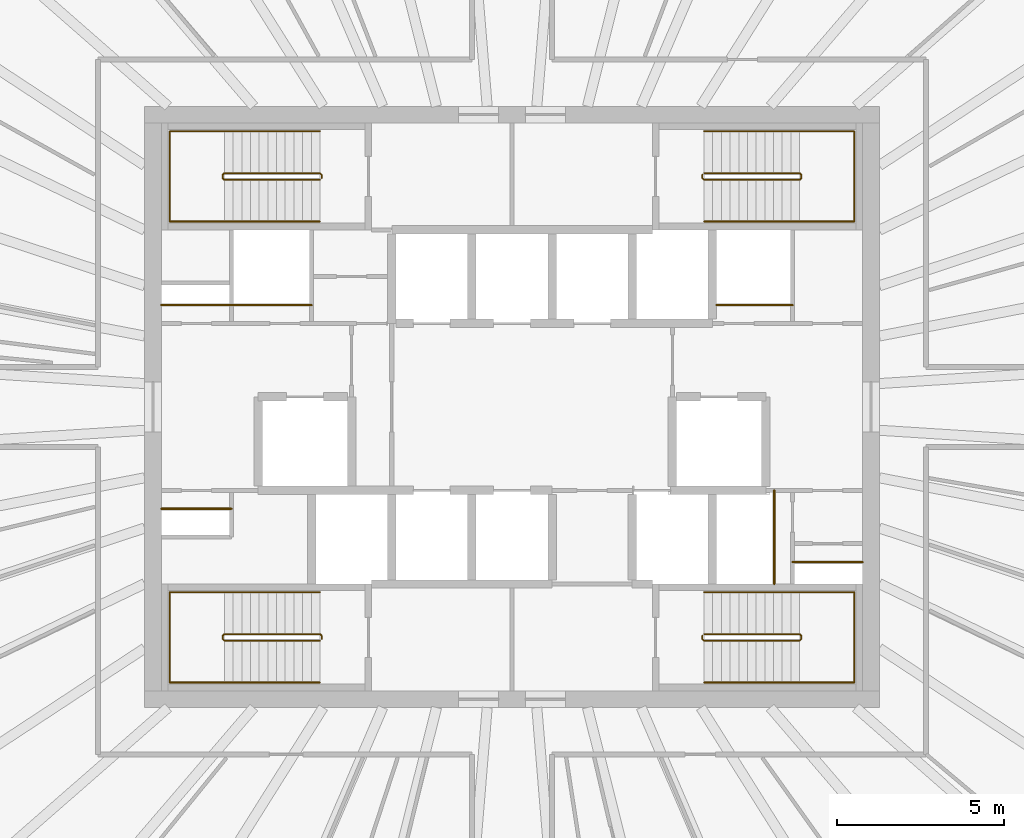
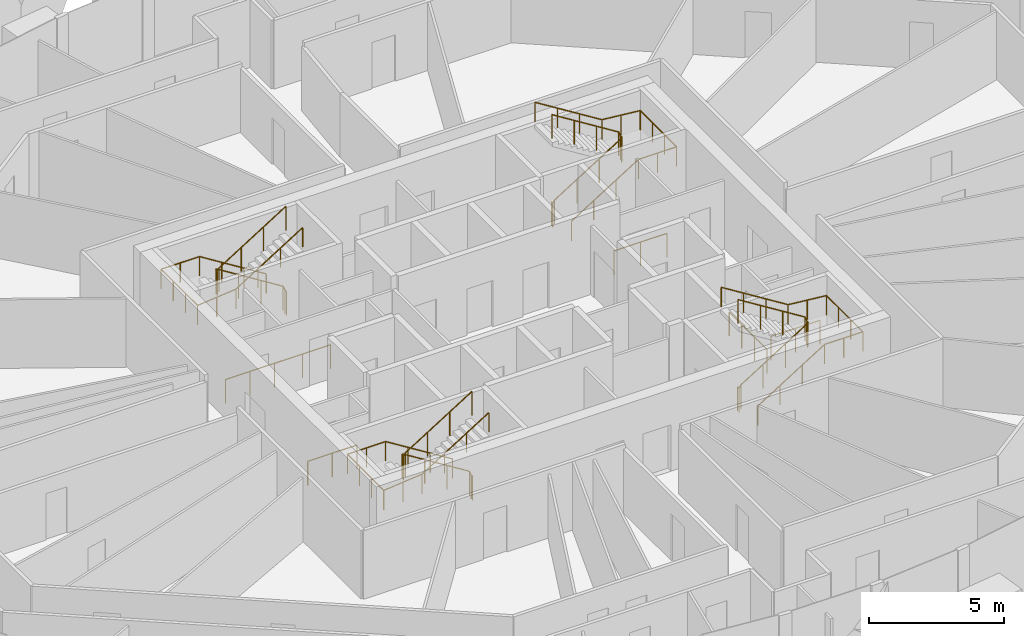
# One storey, part 15 of 15: 14 railings.
"""IFC4 building model written with IfcOpenShell, lengths in metres."""

import ifcopenshell
import ifcopenshell.guid

model = None  # the IFC model being written
_history = None  # IfcOwnerHistory: only IFC2X3 demands one
_inside = {}  # id of a spatial element -> (the spatial element, [elements in it])
_under = {}  # id of a project, library or spatial element -> (it, [spatial elements below it])
_declared = {}  # id of a project -> (the project, [libraries it declares])
_typed = {}  # id of a type object -> (the type object, [elements of that type])
_made_of = {}  # id of a material, layer set ... -> (it, [elements and type objects made of it])


def new_model(schema):
    """Start an empty IFC model of exactly this schema.

    Asked for "IFC4X3", IfcOpenShell would pick the latest addendum, in which some entities
    have other attributes; the version numbers below select the first issue.
    IFC2X3 requires an IfcOwnerHistory on every rooted entity: one is made here for all.
    """
    global model, _history
    if schema == "IFC4X3":
        model = ifcopenshell.file(schema_version=(4, 3, 0, 0))
    else:
        model = ifcopenshell.file(schema=schema)
    _inside.clear()
    _under.clear()
    _declared.clear()
    _typed.clear()
    _made_of.clear()
    _history = None
    if model.schema == "IFC2X3":
        org = make("IfcOrganization", Name="unknown")
        user = make(
            "IfcPersonAndOrganization",
            ThePerson=make("IfcPerson", FamilyName="unknown"),
            TheOrganization=org,
        )
        app = make(
            "IfcApplication",
            ApplicationDeveloper=org,
            Version="unknown",
            ApplicationFullName="unknown",
            ApplicationIdentifier="unknown",
        )
        _history = make(
            "IfcOwnerHistory",
            OwningUser=user,
            OwningApplication=app,
            ChangeAction="ADDED",
            CreationDate=0,
        )
    return model


def make(cls, **values):
    """One entity of the class cls with the attributes given. An attribute that is None is left unset."""
    return model.create_entity(
        cls, **{name: value for name, value in values.items() if value is not None}
    )


def rooted(cls, **values):
    """An entity with a GlobalId (a new one), such as an element, a storey or a relation."""
    return make(cls, GlobalId=ifcopenshell.guid.new(), OwnerHistory=_history, **values)


def si_unit(unit_type, name, prefix=None):
    """IfcSIUnit, for example si_unit("LENGTHUNIT", "METRE", prefix="MILLI")."""
    return make("IfcSIUnit", UnitType=unit_type, Prefix=prefix, Name=name)


def assignment(units):
    """IfcUnitAssignment: the units of a project."""
    return None if units is None else make("IfcUnitAssignment", Units=units)


def point(xyz):
    """IfcCartesianPoint."""
    return None if xyz is None else make("IfcCartesianPoint", Coordinates=xyz)


def direction(xyz):
    """IfcDirection."""
    return None if xyz is None else make("IfcDirection", DirectionRatios=xyz)


def frame(location, z_axis=None, x_axis=None):
    """IfcAxis2Placement3D, a coordinate frame: its origin and axes. An axis left out is left unset."""
    return make(
        "IfcAxis2Placement3D",
        Location=point(location),
        Axis=direction(z_axis),
        RefDirection=direction(x_axis),
    )


def frame_2d(location, x_axis=None):
    """IfcAxis2Placement2D, a coordinate frame in the plane: its origin and x axis."""
    return make(
        "IfcAxis2Placement2D", Location=point(location), RefDirection=direction(x_axis)
    )


def origin():
    """The frame at (0, 0, 0) with its axes left unset."""
    return frame((0.0, 0.0, 0.0))


def origin_2d():
    """The frame at (0, 0) in the plane with its x axis left unset."""
    return frame_2d((0.0, 0.0))


def place(relative_to, where):
    """IfcLocalPlacement: puts the frame where relative to a parent placement (None: the world)."""
    return make(
        "IfcLocalPlacement", PlacementRelTo=relative_to, RelativePlacement=where
    )


def context(
    kind, dimensions, precision=None, world=None, true_north=None, identifier=None
):
    """IfcGeometricRepresentationContext, for example the 3D "Model" context."""
    return make(
        "IfcGeometricRepresentationContext",
        ContextIdentifier=identifier,
        ContextType=kind,
        CoordinateSpaceDimension=dimensions,
        Precision=precision,
        WorldCoordinateSystem=world,
        TrueNorth=true_north,
    )


def subcontext(parent, identifier, kind, view, scale=None):
    """IfcGeometricRepresentationSubContext, for example "Body" below "Model"."""
    return make(
        "IfcGeometricRepresentationSubContext",
        ContextIdentifier=identifier,
        ContextType=kind,
        ParentContext=parent,
        TargetScale=scale,
        TargetView=view,
    )


def project(units=None, contexts=None):
    """IfcProject with its units and contexts."""
    return rooted(
        "IfcProject",
        Name="project",
        RepresentationContexts=contexts,
        UnitsInContext=assignment(units),
    )


def spatial(cls, under=None, at=None, **own):
    """A site, building, storey or space (cls), placed at a placement, below another one or the project."""
    s = rooted(cls, ObjectPlacement=at, **own)
    if under is not None:
        _under.setdefault(under.id(), (under, []))[1].append(s)
    return s


def profile(cls, at=None, kind="AREA", **sizes):
    """A parametric profile (cls). Its sizes go by their IFC names, for example OverallWidth=200.0."""
    return make(cls, ProfileType=kind, Position=at, **sizes)


def circle(**sizes):
    """IfcCircleProfileDef."""
    return profile("IfcCircleProfileDef", **sizes)


def extrude(swept, where, along, depth):
    """IfcExtrudedAreaSolid: the profile swept, set in the frame where, extruded along a direction by depth."""
    return make(
        "IfcExtrudedAreaSolid",
        SweptArea=swept,
        Position=where,
        ExtrudedDirection=direction(along),
        Depth=depth,
    )


def shape(context_of_items, identifier, shape_type, items):
    """IfcShapeRepresentation: the items that make up one representation, for example the "Body"."""
    return make(
        "IfcShapeRepresentation",
        ContextOfItems=context_of_items,
        RepresentationIdentifier=identifier,
        RepresentationType=shape_type,
        Items=items,
    )


def source(mapping_origin, context_of_items, identifier, shape_type, items):
    """IfcRepresentationMap: a shape defined once, which mapped items show again and again."""
    return make(
        "IfcRepresentationMap",
        MappingOrigin=mapping_origin,
        MappedRepresentation=shape(context_of_items, identifier, shape_type, items),
    )


def transform(
    local_origin,
    x_axis=None,
    y_axis=None,
    z_axis=None,
    scale=None,
    scale2=None,
    scale3=None,
    uniform=True,
):
    """IfcCartesianTransformationOperator3D, or its non-uniform kind. x_axis, y_axis, z_axis: its Axis1, 2, 3."""
    if uniform:
        return make(
            "IfcCartesianTransformationOperator3D",
            Axis1=direction(x_axis),
            Axis2=direction(y_axis),
            LocalOrigin=point(local_origin),
            Scale=scale,
            Axis3=direction(z_axis),
        )
    return make(
        "IfcCartesianTransformationOperator3DnonUniform",
        Axis1=direction(x_axis),
        Axis2=direction(y_axis),
        LocalOrigin=point(local_origin),
        Scale=scale,
        Axis3=direction(z_axis),
        Scale2=scale2,
        Scale3=scale3,
    )


def mapped(mapping_source, mapping_target):
    """IfcMappedItem: shows the shape of a source again, moved by a transform."""
    return make(
        "IfcMappedItem", MappingSource=mapping_source, MappingTarget=mapping_target
    )


def material(Name=None, Category=None):
    """IfcMaterial."""
    return make("IfcMaterial", Name=Name, Category=Category)


def made_of(thing, what):
    """Note that an element or type object is made of a material, layer set ...; save() writes the relation."""
    if what is not None:
        _made_of.setdefault(what.id(), (what, []))[1].append(thing)
    return thing


def type_object(cls, material=None, **own):
    """A type object (cls), such as IfcWallType, which elements share."""
    return made_of(rooted(cls, **own), material)


def element(
    cls,
    number,
    at=None,
    inside=None,
    cuts=None,
    type_object=None,
    material=None,
    context=None,
    identifier="Body",
    shape_type=None,
    held_by="IfcProductDefinitionShape",
    body=None,
    shapes=None,
    **own,
):
    """One element of the class cls, such as IfcWall. Its Tag is "e" and its number.

    at: its placement. inside: the storey or other place that contains it. cuts: it is an
    opening in that element (IfcRelVoidsElement). A single representation is given by context,
    identifier, shape_type and body (its items); several are given by shapes. held_by: the class
    of the entity that holds the representations. save() writes the other relations.
    """
    e = rooted(cls, Tag="e%d" % number, ObjectPlacement=at, **own)
    if body is not None:
        shapes = [shape(context, identifier, shape_type, body)]
    if shapes is not None:
        e.Representation = make(held_by, Representations=shapes)
    if inside is not None:
        _inside.setdefault(inside.id(), (inside, []))[1].append(e)
    if cuts is not None:
        rooted(
            "IfcRelVoidsElement", RelatingBuildingElement=cuts, RelatedOpeningElement=e
        )
    if type_object is not None:
        _typed.setdefault(type_object.id(), (type_object, []))[1].append(e)
    return made_of(e, material)


def aggregate(whole, parts):
    """IfcRelAggregates: a whole, such as a stair, and the parts it consists of."""
    return rooted("IfcRelAggregates", RelatingObject=whole, RelatedObjects=parts)


def save(model, path):
    """Write the relations noted so far, then the file.

    IfcRelAggregates (storeys below a building ...), IfcRelContainedInSpatialStructure (elements
    in a storey), IfcRelDefinesByType, IfcRelAssociatesMaterial and IfcRelDeclares: one each for
    every whole, place, type object, material and project.
    """
    for whole, parts in _under.values():
        aggregate(whole, parts)
    for where, things in _inside.values():
        rooted(
            "IfcRelContainedInSpatialStructure",
            RelatedElements=things,
            RelatingStructure=where,
        )
    for kind, things in _typed.values():
        rooted("IfcRelDefinesByType", RelatedObjects=things, RelatingType=kind)
    for what, things in _made_of.values():
        rooted("IfcRelAssociatesMaterial", RelatedObjects=things, RelatingMaterial=what)
    for by, libraries in _declared.values():
        rooted("IfcRelDeclares", RelatingContext=by, RelatedDefinitions=libraries)
    model.write(path)


model = new_model("IFC4")

# Units and contexts
model_context = context("Model", 3, precision=1e-05, world=origin(), true_north=direction((0.0, 1.0)))
body_context = subcontext(model_context, "Body", "Model", "MODEL_VIEW")
ifc_project = project(units=[si_unit("LENGTHUNIT", "METRE"), si_unit("AREAUNIT", "SQUARE_METRE"), si_unit("VOLUMEUNIT", "CUBIC_METRE"), si_unit("PLANEANGLEUNIT", "RADIAN"), si_unit("MASSUNIT", "GRAM", prefix="KILO")], contexts=[model_context])

# Site, building, storey
site_placement = place(None, origin())
site = spatial("IfcSite", under=ifc_project, at=site_placement, CompositionType="ELEMENT")
building_placement = place(site_placement, origin())
building = spatial("IfcBuilding", under=site, at=building_placement, Name="Embergate Tower", CompositionType="ELEMENT")
storey_placement = place(building_placement, frame((0.0, 0.0, 277.300048828125)))
storey = spatial("IfcBuildingStorey", under=building, at=storey_placement, Name="L64", CompositionType="ELEMENT", Elevation=277.300048828125)

# Railings
ifc_material_1 = material(Name="Stair guard 1100")
railing_type_1 = type_object("IfcRailingType", Name="Stair guard 1100", PredefinedType="GUARDRAIL", material=ifc_material_1)
shared_shape_1 = source(origin(), body_context, "Body", "SweptSolid", [
    extrude(circle(Radius=0.02392578125, at=origin_2d()), frame((0.0, 0.0, 1.076171875), z_axis=(0.0, 1.0, 0.0), x_axis=(-1.0, 0.0, 0.0)), (0.0, 0.0, 1.0), 0.099853515625),
    extrude(circle(Radius=0.02392578125, at=origin_2d()), frame((0.0, 0.099853515625, 1.076171875), z_axis=(-0.282583949758, 0.282583949758, 0.916674763849), x_axis=(-0.707106781187, -0.707106781187, 0.0)), (0.0, 0.0, 1.0), 0.177001953125),
    extrude(circle(Radius=0.02392578125, at=origin_2d()), frame((-0.050048828125, 0.14990234375, 1.23828125), z_axis=(-0.847994237388, 0.0, 0.530005446535), x_axis=(0.0, -1.0, 0.0)), (0.0, 0.0, 1.0), 3.372802734375),
    extrude(circle(Radius=0.02392578125, at=origin_2d()), frame((-2.91015625, 0.14990234375, 3.02587890625), z_axis=(-0.705375805398, -0.708833529934, 0.0), x_axis=(0.708833529934, -0.705375805398, 0.0)), (0.0, 0.0, 1.0), 0.070556640625),
    extrude(circle(Radius=0.02392578125, at=origin_2d()), frame((-2.9599609375, 0.099853515625, 3.02587890625), z_axis=(0.0, -1.0, 0.0), x_axis=(1.0, 0.0, 0.0)), (0.0, 0.0, 1.0), 0.099853515625),
    extrude(circle(Radius=0.02392578125, at=origin_2d()), frame((-2.9599609375, 0.0, 3.02587890625), z_axis=(0.280959487676, -0.282336740067, 0.917250092119), x_axis=(0.708833529934, 0.705375805398, 0.0)), (0.0, 0.0, 1.0), 0.17724609375),
    extrude(circle(Radius=0.02392578125, at=origin_2d()), frame((-2.91015625, -0.050048828125, 3.1884765625), z_axis=(0.848026770018, 0.0, 0.529953391661), x_axis=(0.0, 1.0, 0.0)), (0.0, 0.0, 1.0), 3.37255859375),
    extrude(circle(Radius=0.02099609375, at=origin_2d()), origin(), (0.0, 0.0, 1.0), 1.052001953125),
    extrude(circle(Radius=0.02099609375, at=origin_2d()), frame((0.0, 0.099853515625, 0.0)), (0.0, 0.0, 1.0), 1.052001953125),
    extrude(circle(Radius=0.02099609375, at=origin_2d()), frame((-0.050048828125, 0.14990234375, 0.162353515625)), (0.0, 0.0, 1.0), 1.052001953125),
    extrude(circle(Radius=0.02099609375, at=origin_2d()), frame((-1.00341796875, 0.14990234375, 0.75830078125)), (0.0, 0.0, 1.0), 1.052001953125),
    extrude(circle(Radius=0.02099609375, at=origin_2d()), frame((-1.956787109375, 0.14990234375, 1.35400390625)), (0.0, 0.0, 1.0), 1.052001953125),
    extrude(circle(Radius=0.02099609375, at=origin_2d()), frame((-2.91015625, 0.14990234375, 1.949951171875)), (0.0, 0.0, 1.0), 1.052001953125),
    extrude(circle(Radius=0.02099609375, at=origin_2d()), frame((-2.9599609375, 0.099853515625, 1.949951171875)), (0.0, 0.0, 1.0), 1.052001953125),
    extrude(circle(Radius=0.02099609375, at=origin_2d()), frame((-2.9599609375, 0.0, 1.949951171875)), (0.0, 0.0, 1.0), 1.052001953125),
    extrude(circle(Radius=0.02099609375, at=origin_2d()), frame((-2.91015625, -0.050048828125, 2.112548828125)), (0.0, 0.0, 1.0), 1.052001953125),
    extrude(circle(Radius=0.02099609375, at=origin_2d()), frame((-1.956787109375, -0.050048828125, 2.708251953125)), (0.0, 0.0, 1.0), 1.052001953125),
    extrude(circle(Radius=0.02099609375, at=origin_2d()), frame((-1.00341796875, -0.050048828125, 3.30419921875)), (0.0, 0.0, 1.0), 1.052001953125),
    extrude(circle(Radius=0.02099609375, at=origin_2d()), frame((-0.050048828125, -0.050048828125, 3.89990234375)), (0.0, 0.0, 1.0), 1.052001953125),
])
for number, where, name in (
    (1, (-5.699951171875, 6.85009765625, 0.0), "L64 ST1 stair guard 1"),
    (2, (-5.699951171875, -6.949951171875, 0.0), "L64 ST3 stair guard 1"),
):
    element("IfcRailing", number, at=place(storey_placement, frame(where)), inside=storey, type_object=railing_type_1, Name=name, PredefinedType="GUARDRAIL", context=body_context, shape_type="MappedRepresentation", body=[
        mapped(shared_shape_1, transform((0.0, 0.0, 0.0))),
    ])
ifc_material_2 = material(Name="Stair handrail 900")
railing_type_2 = type_object("IfcRailingType", Name="Stair handrail 900", PredefinedType="HANDRAIL", material=ifc_material_2)
shared_shape_2 = source(origin(), body_context, "Body", "SweptSolid", [
    extrude(circle(Radius=0.02392578125, at=origin_2d()), frame((0.0, 0.0, 0.8759765625), z_axis=(-0.847994237388, 0.0, 0.530005446535), x_axis=(0.0, -1.0, 0.0)), (0.0, 0.0, 1.0), 3.372802734375),
    extrude(circle(Radius=0.02392578125, at=origin_2d()), frame((-2.860107421875, 0.0, 2.66357421875), z_axis=(-1.0, 0.0, 0.0), x_axis=(0.0, -1.0, 0.0)), (0.0, 0.0, 1.0), 1.639892578125),
    extrude(circle(Radius=0.02392578125, at=origin_2d()), frame((-4.5, 0.0, 2.66357421875), z_axis=(0.0, -1.0, 0.0), x_axis=(1.0, 0.0, 0.0)), (0.0, 0.0, 1.0), 2.699951171875),
    extrude(circle(Radius=0.02392578125, at=origin_2d()), frame((-4.5, -2.699951171875, 2.66357421875), z_axis=(0.995120448088, 0.0, 0.098667592441), x_axis=(0.0, 1.0, 0.0)), (0.0, 0.0, 1.0), 1.64794921875),
    extrude(circle(Radius=0.02392578125, at=origin_2d()), frame((-2.860107421875, -2.699951171875, 2.826171875), z_axis=(0.848026770018, 0.0, 0.529953391661), x_axis=(0.0, 1.0, 0.0)), (0.0, 0.0, 1.0), 3.37255859375),
    extrude(circle(Radius=0.02099609375, at=origin_2d()), origin(), (0.0, 0.0, 1.0), 0.851806640625),
    extrude(circle(Radius=0.02099609375, at=origin_2d()), frame((-0.953369140625, 0.0, 0.595947265625)), (0.0, 0.0, 1.0), 0.851806640625),
    extrude(circle(Radius=0.02099609375, at=origin_2d()), frame((-1.90673828125, 0.0, 1.191650390625)), (0.0, 0.0, 1.0), 0.851806640625),
    extrude(circle(Radius=0.02099609375, at=origin_2d()), frame((-2.860107421875, 0.0, 1.78759765625)), (0.0, 0.0, 1.0), 0.851806640625),
    extrude(circle(Radius=0.02099609375, at=origin_2d()), frame((-3.68017578125, 0.0, 1.78759765625)), (0.0, 0.0, 1.0), 0.851806640625),
    extrude(circle(Radius=0.02099609375, at=origin_2d()), frame((-4.5, 0.0, 1.78759765625)), (0.0, 0.0, 1.0), 0.851806640625),
    extrude(circle(Radius=0.02099609375, at=origin_2d()), frame((-4.5, -0.89990234375, 1.78759765625)), (0.0, 0.0, 1.0), 0.851806640625),
    extrude(circle(Radius=0.02099609375, at=origin_2d()), frame((-4.5, -1.800048828125, 1.78759765625)), (0.0, 0.0, 1.0), 0.851806640625),
    extrude(circle(Radius=0.02099609375, at=origin_2d()), frame((-4.5, -2.699951171875, 1.78759765625)), (0.0, 0.0, 1.0), 0.851806640625),
    extrude(circle(Radius=0.02099609375, at=origin_2d()), frame((-3.68017578125, -2.699951171875, 1.868896484375)), (0.0, 0.0, 1.0), 0.851806640625),
    extrude(circle(Radius=0.02099609375, at=origin_2d()), frame((-2.860107421875, -2.699951171875, 1.9501953125)), (0.0, 0.0, 1.0), 0.851806640625),
    extrude(circle(Radius=0.02099609375, at=origin_2d()), frame((-1.90673828125, -2.699951171875, 2.5458984375)), (0.0, 0.0, 1.0), 0.851806640625),
    extrude(circle(Radius=0.02099609375, at=origin_2d()), frame((-0.953369140625, -2.699951171875, 3.141845703125)), (0.0, 0.0, 1.0), 0.851806640625),
    extrude(circle(Radius=0.02099609375, at=origin_2d()), frame((0.0, -2.699951171875, 3.737548828125)), (0.0, 0.0, 1.0), 0.851806640625),
])
for number, where, name in (
    (3, (-5.75, 8.25, 0.162353515625), "L64 ST1 stair handrail 1"),
    (4, (-5.75, -5.550048828125, 0.162353515625), "L64 ST3 stair handrail 1"),
):
    element("IfcRailing", number, at=place(storey_placement, frame(where)), inside=storey, type_object=railing_type_2, Name=name, PredefinedType="HANDRAIL", context=body_context, shape_type="MappedRepresentation", body=[
        mapped(shared_shape_2, transform((0.0, 0.0, 0.0))),
    ])
shared_shape_3 = source(origin(), body_context, "Body", "SweptSolid", [
    extrude(circle(Radius=0.02392578125, at=origin_2d()), frame((0.0, 0.0, 1.076171875), z_axis=(0.0, -1.0, 0.0), x_axis=(1.0, 0.0, 0.0)), (0.0, 0.0, 1.0), 0.099853515625),
    extrude(circle(Radius=0.02392578125, at=origin_2d()), frame((0.0, -0.099853515625, 1.076171875), z_axis=(0.282583949758, -0.282583949758, 0.916674763849), x_axis=(0.707106781187, 0.707106781187, 0.0)), (0.0, 0.0, 1.0), 0.177001953125),
    extrude(circle(Radius=0.02392578125, at=origin_2d()), frame((0.050048828125, -0.14990234375, 1.23828125), z_axis=(0.847994237388, 0.0, 0.530005446535), x_axis=(0.0, 1.0, 0.0)), (0.0, 0.0, 1.0), 3.372802734375),
    extrude(circle(Radius=0.02392578125, at=origin_2d()), frame((2.91015625, -0.14990234375, 3.02587890625), z_axis=(0.705375805398, 0.708833529934, 0.0), x_axis=(-0.708833529934, 0.705375805398, 0.0)), (0.0, 0.0, 1.0), 0.070556640625),
    extrude(circle(Radius=0.02392578125, at=origin_2d()), frame((2.9599609375, -0.099853515625, 3.02587890625), z_axis=(0.0, 1.0, 0.0), x_axis=(-1.0, 0.0, 0.0)), (0.0, 0.0, 1.0), 0.099853515625),
    extrude(circle(Radius=0.02392578125, at=origin_2d()), frame((2.9599609375, 0.0, 3.02587890625), z_axis=(-0.280959487676, 0.282336740067, 0.917250092119), x_axis=(-0.708833529934, -0.705375805398, 0.0)), (0.0, 0.0, 1.0), 0.17724609375),
    extrude(circle(Radius=0.02392578125, at=origin_2d()), frame((2.91015625, 0.050048828125, 3.1884765625), z_axis=(-0.848026770018, 0.0, 0.529953391661), x_axis=(0.0, -1.0, 0.0)), (0.0, 0.0, 1.0), 3.37255859375),
    extrude(circle(Radius=0.02099609375, at=origin_2d()), origin(), (0.0, 0.0, 1.0), 1.052001953125),
    extrude(circle(Radius=0.02099609375, at=origin_2d()), frame((0.0, -0.099853515625, 0.0)), (0.0, 0.0, 1.0), 1.052001953125),
    extrude(circle(Radius=0.02099609375, at=origin_2d()), frame((0.050048828125, -0.14990234375, 0.162353515625)), (0.0, 0.0, 1.0), 1.052001953125),
    extrude(circle(Radius=0.02099609375, at=origin_2d()), frame((1.00341796875, -0.14990234375, 0.75830078125)), (0.0, 0.0, 1.0), 1.052001953125),
    extrude(circle(Radius=0.02099609375, at=origin_2d()), frame((1.956787109375, -0.14990234375, 1.35400390625)), (0.0, 0.0, 1.0), 1.052001953125),
    extrude(circle(Radius=0.02099609375, at=origin_2d()), frame((2.91015625, -0.14990234375, 1.949951171875)), (0.0, 0.0, 1.0), 1.052001953125),
    extrude(circle(Radius=0.02099609375, at=origin_2d()), frame((2.9599609375, -0.099853515625, 1.949951171875)), (0.0, 0.0, 1.0), 1.052001953125),
    extrude(circle(Radius=0.02099609375, at=origin_2d()), frame((2.9599609375, 0.0, 1.949951171875)), (0.0, 0.0, 1.0), 1.052001953125),
    extrude(circle(Radius=0.02099609375, at=origin_2d()), frame((2.91015625, 0.050048828125, 2.112548828125)), (0.0, 0.0, 1.0), 1.052001953125),
    extrude(circle(Radius=0.02099609375, at=origin_2d()), frame((1.956787109375, 0.050048828125, 2.708251953125)), (0.0, 0.0, 1.0), 1.052001953125),
    extrude(circle(Radius=0.02099609375, at=origin_2d()), frame((1.00341796875, 0.050048828125, 3.30419921875)), (0.0, 0.0, 1.0), 1.052001953125),
    extrude(circle(Radius=0.02099609375, at=origin_2d()), frame((0.050048828125, 0.050048828125, 3.89990234375)), (0.0, 0.0, 1.0), 1.052001953125),
])
for number, where, name in (
    (5, (5.699951171875, 6.949951171875, 0.0), "L64 ST2 stair guard 1"),
    (6, (5.699951171875, -6.85009765625, 0.0), "L64 ST4 stair guard 1"),
):
    element("IfcRailing", number, at=place(storey_placement, frame(where)), inside=storey, type_object=railing_type_1, Name=name, PredefinedType="GUARDRAIL", context=body_context, shape_type="MappedRepresentation", body=[
        mapped(shared_shape_3, transform((0.0, 0.0, 0.0))),
    ])
shared_shape_4 = source(origin(), body_context, "Body", "SweptSolid", [
    extrude(circle(Radius=0.02392578125, at=origin_2d()), frame((0.0, 0.0, 0.8759765625), z_axis=(0.847994237388, 0.0, 0.530005446535), x_axis=(0.0, 1.0, 0.0)), (0.0, 0.0, 1.0), 3.372802734375),
    extrude(circle(Radius=0.02392578125, at=origin_2d()), frame((2.860107421875, 0.0, 2.66357421875), z_axis=(1.0, 0.0, 0.0), x_axis=(0.0, 1.0, 0.0)), (0.0, 0.0, 1.0), 1.639892578125),
    extrude(circle(Radius=0.02392578125, at=origin_2d()), frame((4.5, 0.0, 2.66357421875), z_axis=(0.0, 1.0, 0.0), x_axis=(-1.0, 0.0, 0.0)), (0.0, 0.0, 1.0), 2.699951171875),
    extrude(circle(Radius=0.02392578125, at=origin_2d()), frame((4.5, 2.699951171875, 2.66357421875), z_axis=(-0.995120448088, 0.0, 0.098667592441), x_axis=(0.0, -1.0, 0.0)), (0.0, 0.0, 1.0), 1.64794921875),
    extrude(circle(Radius=0.02392578125, at=origin_2d()), frame((2.860107421875, 2.699951171875, 2.826171875), z_axis=(-0.848026770018, 0.0, 0.529953391661), x_axis=(0.0, -1.0, 0.0)), (0.0, 0.0, 1.0), 3.37255859375),
    extrude(circle(Radius=0.02099609375, at=origin_2d()), origin(), (0.0, 0.0, 1.0), 0.851806640625),
    extrude(circle(Radius=0.02099609375, at=origin_2d()), frame((0.953369140625, 0.0, 0.595947265625)), (0.0, 0.0, 1.0), 0.851806640625),
    extrude(circle(Radius=0.02099609375, at=origin_2d()), frame((1.90673828125, 0.0, 1.191650390625)), (0.0, 0.0, 1.0), 0.851806640625),
    extrude(circle(Radius=0.02099609375, at=origin_2d()), frame((2.860107421875, 0.0, 1.78759765625)), (0.0, 0.0, 1.0), 0.851806640625),
    extrude(circle(Radius=0.02099609375, at=origin_2d()), frame((3.68017578125, 0.0, 1.78759765625)), (0.0, 0.0, 1.0), 0.851806640625),
    extrude(circle(Radius=0.02099609375, at=origin_2d()), frame((4.5, 0.0, 1.78759765625)), (0.0, 0.0, 1.0), 0.851806640625),
    extrude(circle(Radius=0.02099609375, at=origin_2d()), frame((4.5, 0.89990234375, 1.78759765625)), (0.0, 0.0, 1.0), 0.851806640625),
    extrude(circle(Radius=0.02099609375, at=origin_2d()), frame((4.5, 1.800048828125, 1.78759765625)), (0.0, 0.0, 1.0), 0.851806640625),
    extrude(circle(Radius=0.02099609375, at=origin_2d()), frame((4.5, 2.699951171875, 1.78759765625)), (0.0, 0.0, 1.0), 0.851806640625),
    extrude(circle(Radius=0.02099609375, at=origin_2d()), frame((3.68017578125, 2.699951171875, 1.868896484375)), (0.0, 0.0, 1.0), 0.851806640625),
    extrude(circle(Radius=0.02099609375, at=origin_2d()), frame((2.860107421875, 2.699951171875, 1.9501953125)), (0.0, 0.0, 1.0), 0.851806640625),
    extrude(circle(Radius=0.02099609375, at=origin_2d()), frame((1.90673828125, 2.699951171875, 2.5458984375)), (0.0, 0.0, 1.0), 0.851806640625),
    extrude(circle(Radius=0.02099609375, at=origin_2d()), frame((0.953369140625, 2.699951171875, 3.141845703125)), (0.0, 0.0, 1.0), 0.851806640625),
    extrude(circle(Radius=0.02099609375, at=origin_2d()), frame((0.0, 2.699951171875, 3.737548828125)), (0.0, 0.0, 1.0), 0.851806640625),
])
for number, where, name in (
    (7, (5.75, 5.550048828125, 0.162353515625), "L64 ST2 stair handrail 1"),
    (8, (5.75, -8.25, 0.162353515625), "L64 ST4 stair handrail 1"),
):
    element("IfcRailing", number, at=place(storey_placement, frame(where)), inside=storey, type_object=railing_type_2, Name=name, PredefinedType="HANDRAIL", context=body_context, shape_type="MappedRepresentation", body=[
        mapped(shared_shape_4, transform((0.0, 0.0, 0.0))),
    ])
ifc_material_3 = material(Name="Opening guard 1100")
railing_type_3 = type_object("IfcRailingType", Name="Opening guard 1100", PredefinedType="GUARDRAIL", material=ifc_material_3)
shared_shape_5 = source(origin(), body_context, "Body", "SweptSolid", [
    extrude(circle(Radius=0.02392578125, at=origin_2d()), frame((0.0, 0.0, 1.076171875), z_axis=(1.0, 0.0, 0.0), x_axis=(0.0, 1.0, 0.0)), (0.0, 0.0, 1.0), 2.27490234375),
    extrude(circle(Radius=0.02099609375, at=origin_2d()), origin(), (0.0, 0.0, 1.0), 1.052001953125),
    extrude(circle(Radius=0.02099609375, at=origin_2d()), frame((1.137451171875, 0.0, 0.0)), (0.0, 0.0, 1.0), 1.052001953125),
    extrude(circle(Radius=0.02099609375, at=origin_2d()), frame((2.27490234375, 0.0, 0.0)), (0.0, 0.0, 1.0), 1.052001953125),
])
railing_1_placement = place(storey_placement, frame((6.125, 3.050048828125, 0.0)))
element("IfcRailing", 9, at=railing_1_placement, inside=storey, type_object=railing_type_3, Name="Riser opening guard", PredefinedType="GUARDRAIL", context=body_context, shape_type="MappedRepresentation", body=[
    mapped(shared_shape_5, transform((0.0, 0.0, 0.0))),
])
shared_shape_6 = source(origin(), body_context, "Body", "SweptSolid", [
    extrude(circle(Radius=0.02392578125, at=origin_2d()), frame((0.0, 0.0, 1.076171875), z_axis=(0.0, 1.0, 0.0), x_axis=(-1.0, 0.0, 0.0)), (0.0, 0.0, 1.0), 2.800048828125),
    extrude(circle(Radius=0.02099609375, at=origin_2d()), origin(), (0.0, 0.0, 1.0), 1.052001953125),
    extrude(circle(Radius=0.02099609375, at=origin_2d()), frame((0.0, 0.933349609375, 0.0)), (0.0, 0.0, 1.0), 1.052001953125),
    extrude(circle(Radius=0.02099609375, at=origin_2d()), frame((0.0, 1.86669921875, 0.0)), (0.0, 0.0, 1.0), 1.052001953125),
    extrude(circle(Radius=0.02099609375, at=origin_2d()), frame((0.0, 2.800048828125, 0.0)), (0.0, 0.0, 1.0), 1.052001953125),
])
railing_2_placement = place(storey_placement, frame((7.85009765625, -5.300048828125, 0.0)))
element("IfcRailing", 10, at=railing_2_placement, inside=storey, type_object=railing_type_3, Name="Riser opening guard", PredefinedType="GUARDRAIL", context=body_context, shape_type="MappedRepresentation", body=[
    mapped(shared_shape_6, transform((0.0, 0.0, 0.0))),
])
shared_shape_7 = source(origin(), body_context, "Body", "SweptSolid", [
    extrude(circle(Radius=0.02392578125, at=origin_2d()), frame((0.0, 0.0, 1.076171875), z_axis=(1.0, 0.0, 0.0), x_axis=(0.0, 1.0, 0.0)), (0.0, 0.0, 1.0), 2.39990234375),
    extrude(circle(Radius=0.02099609375, at=origin_2d()), origin(), (0.0, 0.0, 1.0), 1.052001953125),
    extrude(circle(Radius=0.02099609375, at=origin_2d()), frame((1.199951171875, 0.0, 0.0)), (0.0, 0.0, 1.0), 1.052001953125),
    extrude(circle(Radius=0.02099609375, at=origin_2d()), frame((2.39990234375, 0.0, 0.0)), (0.0, 0.0, 1.0), 1.052001953125),
])
railing_3_placement = place(storey_placement, frame((-8.39990234375, 3.050048828125, 0.0)))
element("IfcRailing", 11, at=railing_3_placement, inside=storey, type_object=railing_type_3, Name="Riser opening guard", PredefinedType="GUARDRAIL", context=body_context, shape_type="MappedRepresentation", body=[
    mapped(shared_shape_7, transform((0.0, 0.0, 0.0))),
])
shared_shape_8 = source(origin(), body_context, "Body", "SweptSolid", [
    extrude(circle(Radius=0.02392578125, at=origin_2d()), frame((0.0, 0.0, 1.076171875), z_axis=(1.0, 0.0, 0.0), x_axis=(0.0, 1.0, 0.0)), (0.0, 0.0, 1.0), 2.10009765625),
    extrude(circle(Radius=0.02099609375, at=origin_2d()), origin(), (0.0, 0.0, 1.0), 1.052001953125),
    extrude(circle(Radius=0.02099609375, at=origin_2d()), frame((1.050048828125, 0.0, 0.0)), (0.0, 0.0, 1.0), 1.052001953125),
    extrude(circle(Radius=0.02099609375, at=origin_2d()), frame((2.10009765625, 0.0, 0.0)), (0.0, 0.0, 1.0), 1.052001953125),
])
for number, where, name in (
    (12, (-10.5, 3.050048828125, 0.0), "Riser opening guard"),
    (13, (-10.5, -3.050048828125, 0.0), "Riser opening guard"),
    (14, (8.39990234375, -4.64599609375, 0.0), "Riser opening guard"),
):
    element("IfcRailing", number, at=place(storey_placement, frame(where)), inside=storey, type_object=railing_type_3, Name=name, PredefinedType="GUARDRAIL", context=body_context, shape_type="MappedRepresentation", body=[
        mapped(shared_shape_8, transform((0.0, 0.0, 0.0))),
    ])

save(model, "model.ifc")
